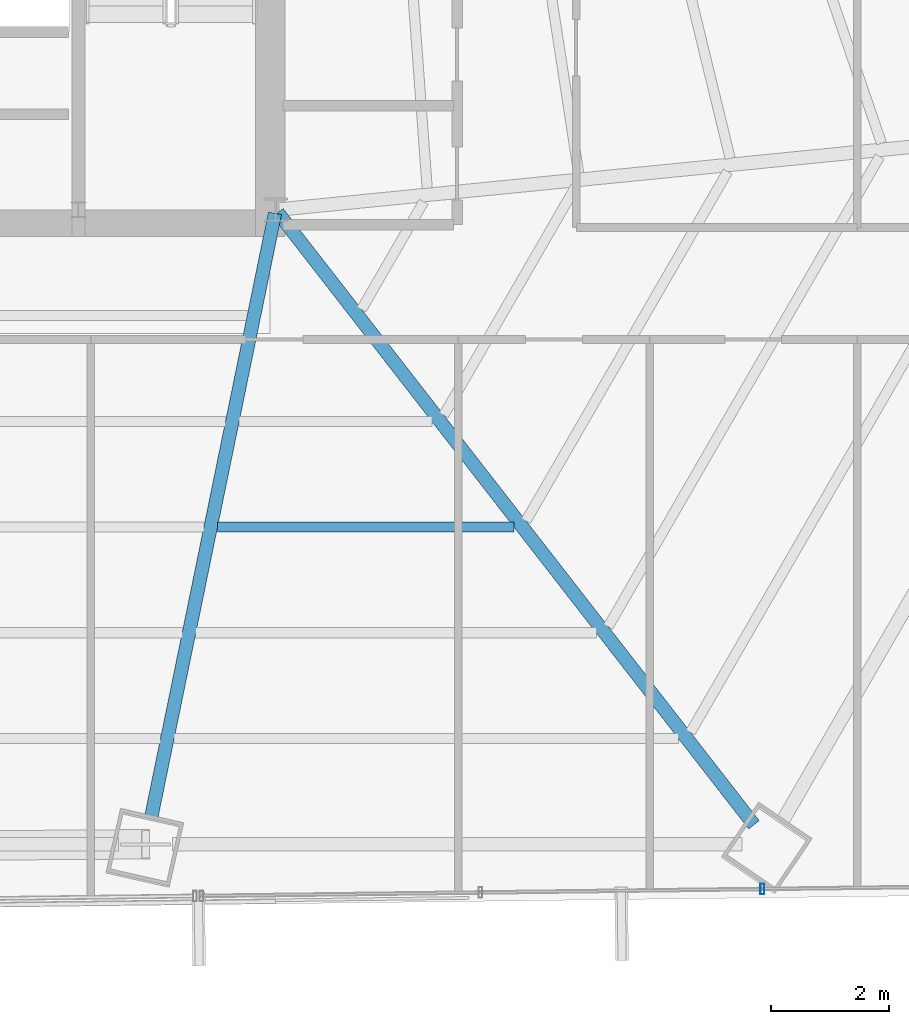
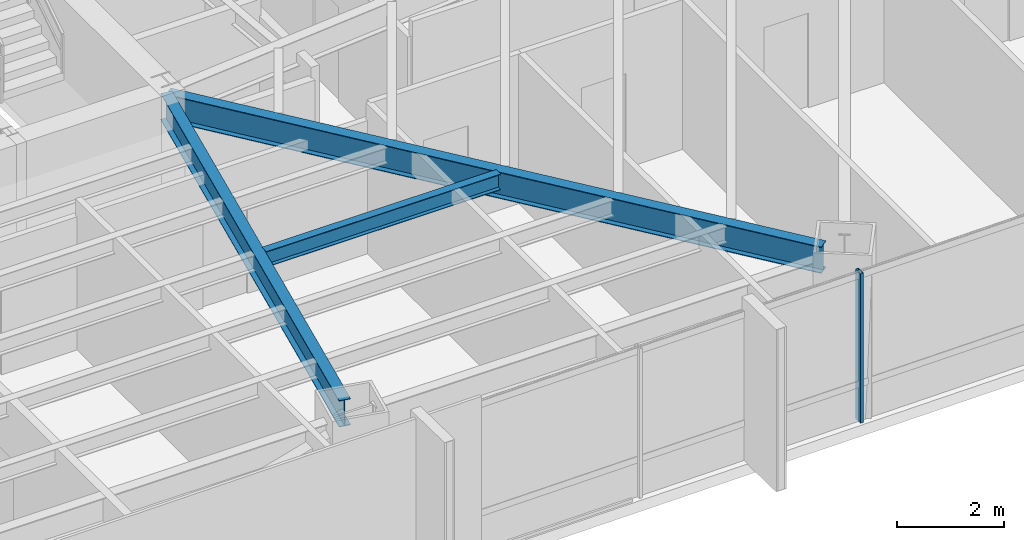
# One storey, part 17 of 37: 3 beams, 1 member, 1 element without a shape of its own.
"""IFC4 building model written with IfcOpenShell, lengths in metres."""

from ifc_helpers import new_model, si_unit, direction, frame, origin, origin_2d, place, context, subcontext, project, spatial, hollow_rectangle, i_section, extrude, source, transform, mapped, material, material_profile, profile_set, type_object, type_shapes, element, aggregate, save


model = new_model("IFC4")

# Units and contexts
model_context = context("Model", 3, precision=1e-05, world=origin(), true_north=direction((0.0, 1.0)))
body_context = subcontext(model_context, "Body", "Model", "MODEL_VIEW")
ifc_project = project(units=[si_unit("LENGTHUNIT", "METRE"), si_unit("AREAUNIT", "SQUARE_METRE"), si_unit("VOLUMEUNIT", "CUBIC_METRE"), si_unit("PLANEANGLEUNIT", "RADIAN"), si_unit("MASSUNIT", "GRAM", prefix="KILO")], contexts=[model_context])

# Site, building, storey
site_placement = place(None, origin())
site = spatial("IfcSite", under=ifc_project, at=site_placement, CompositionType="ELEMENT")
building_placement = place(site_placement, origin())
building = spatial("IfcBuilding", under=site, at=building_placement, Name="Caelisora Broadcast Tower", CompositionType="ELEMENT")
storey_placement = place(building_placement, frame((0.0, 0.0, 116.35009765625)))
storey = spatial("IfcBuildingStorey", under=building, at=storey_placement, Name="L30", CompositionType="ELEMENT", Elevation=116.35009765625)

# Beams
ifc_material_1 = material(Name="Steel Grade 350 (AS/NZS 3679.1)", Category="steel")
ifc_material_profile_1 = material_profile(ifc_material_1, i_section(OverallWidth=0.22802734375, OverallDepth=0.602294921875, WebThickness=0.010498046875, FlangeThickness=0.014892578125, at=origin_2d()), Name="Steel Grade 350 (AS/NZS 3679.1)")
ifc_profile_set_1 = profile_set([ifc_material_profile_1], Name="Steel Grade 350 (AS/NZS 3679.1)")
beam_type_1 = type_object("IfcBeamType", Name="PG04", PredefinedType="BEAM", material=ifc_profile_set_1)
shared_shape_1 = source(origin(), body_context, "Body", "SweptSolid", [
    extrude(i_section(OverallWidth=0.22802734375, OverallDepth=0.602294921875, WebThickness=0.010498046875, FlangeThickness=0.014892578125, at=origin_2d()), origin(), (0.0, 0.0, 1.0), 13.1640625),
])
beam_1_placement = place(storey_placement, frame((45.536865234375, 17.3525390625, 3.098876953125), z_axis=(0.613952169135, -0.789343229536, 0.0), x_axis=(0.789343229536, 0.613952169135, 0.0)))
element("IfcBeam", 1, at=beam_1_placement, inside=storey, type_object=beam_type_1, Name="L30 beam PG04", PredefinedType="BEAM", context=body_context, shape_type="MappedRepresentation", body=[
    mapped(shared_shape_1, transform((0.0, 0.0, 0.0), scale=1.0)),
])
shared_shape_2 = source(origin(), body_context, "Body", "SweptSolid", [
    extrude(i_section(OverallWidth=0.22802734375, OverallDepth=0.602294921875, WebThickness=0.010498046875, FlangeThickness=0.014892578125, at=origin_2d()), origin(), (0.0, 0.0, 1.0), 10.513916015625),
])
type_shapes(beam_type_1, [shared_shape_1, shared_shape_2])
beam_2_placement = place(storey_placement, frame((45.488037109375, 17.34130859375, 3.098876953125), z_axis=(-0.200811586791, -0.979629882461, 0.0), x_axis=(0.979629882461, -0.200811586791, 0.0)))
element("IfcBeam", 2, at=beam_2_placement, inside=storey, type_object=beam_type_1, Name="L30 beam PG04", PredefinedType="BEAM", context=body_context, shape_type="MappedRepresentation", body=[
    mapped(shared_shape_2, transform((0.0, 0.0, 0.0), scale=1.0)),
])
ifc_material_profile_2 = material_profile(ifc_material_1, i_section(OverallWidth=0.172119140625, OverallDepth=0.358642578125, WebThickness=0.008056640625, FlangeThickness=0.012939453125, at=origin_2d()), Name="Steel Grade 350 (AS/NZS 3679.1)")
ifc_profile_set_2 = profile_set([ifc_material_profile_2], Name="Steel Grade 350 (AS/NZS 3679.1)")
beam_type_2 = type_object("IfcBeamType", Name="SB02", PredefinedType="JOIST", material=ifc_profile_set_2)
shared_shape_3 = source(origin(), body_context, "Body", "SweptSolid", [
    extrude(i_section(OverallWidth=0.172119140625, OverallDepth=0.358642578125, WebThickness=0.008056640625, FlangeThickness=0.012939453125, at=origin_2d()), origin(), (0.0, 0.0, 1.0), 5.03759765625),
])
type_shapes(beam_type_2, [shared_shape_3])
beam_3_placement = place(storey_placement, frame((44.509521484375, 12.01513671875, 3.220703125), z_axis=(1.0, 0.0, 0.0), x_axis=(0.0, 1.0, 0.0)))
element("IfcBeam", 3, at=beam_3_placement, inside=storey, type_object=beam_type_2, Name="L30 beam SB02", PredefinedType="JOIST", context=body_context, shape_type="MappedRepresentation", body=[
    mapped(shared_shape_3, transform((0.0, 0.0, 0.0), scale=1.0)),
])

# Curtain wall, member
ifc_material_2 = material(Name="Unitised Aluminium and Low-E Glass Curtain Wall", Category="glass")
curtain_wall_type = type_object("IfcCurtainWallType", Name="CW-Z2", PredefinedType="NOTDEFINED", material=ifc_material_2)
curtain_wall_placement = place(storey_placement, origin())
curtain_wall = element("IfcCurtainWall", 4, at=curtain_wall_placement, inside=storey, type_object=curtain_wall_type, Name="L30 curtain wall CW-Z2", PredefinedType="NOTDEFINED")
ifc_material_3 = material(Name="Aluminium 6063-T6 Anodised Terracotta Bronze", Category="aluminium")
ifc_material_profile_3 = material_profile(ifc_material_3, hollow_rectangle(XDim=0.06494140625, YDim=0.179931640625, WallThickness=0.00341796875, at=origin_2d()), Name="Aluminium 6063-T6 Anodised Terracotta Bronze")
ifc_profile_set_3 = profile_set([ifc_material_profile_3], Name="Aluminium 6063-T6 Anodised Terracotta Bronze")
member_type = type_object("IfcMemberType", Name="CWM-02", PredefinedType="MULLION", material=ifc_profile_set_3)
shared_shape_4 = source(origin(), body_context, "Body", "SweptSolid", [
    extrude(hollow_rectangle(XDim=0.06494140625, YDim=0.179931640625, WallThickness=0.00341796875, at=origin_2d()), origin(), (0.0, 0.0, 1.0), 3.39990234375),
])
type_shapes(member_type, [shared_shape_4])
member_placement = place(storey_placement, frame((53.760986328125, 5.871826171875, 0.0), z_axis=(0.0, 0.0, 1.0), x_axis=(1.0, 0.0, 0.0)))
member = element("IfcMember", 5, at=member_placement, type_object=member_type, Name="L30-CW-B05 mullion #1", PredefinedType="MULLION", context=body_context, shape_type="MappedRepresentation", body=[
    mapped(shared_shape_4, transform((0.0, 0.0, 0.0), scale=1.0)),
])
aggregate(curtain_wall, [member])

save(model, "model.ifc")
